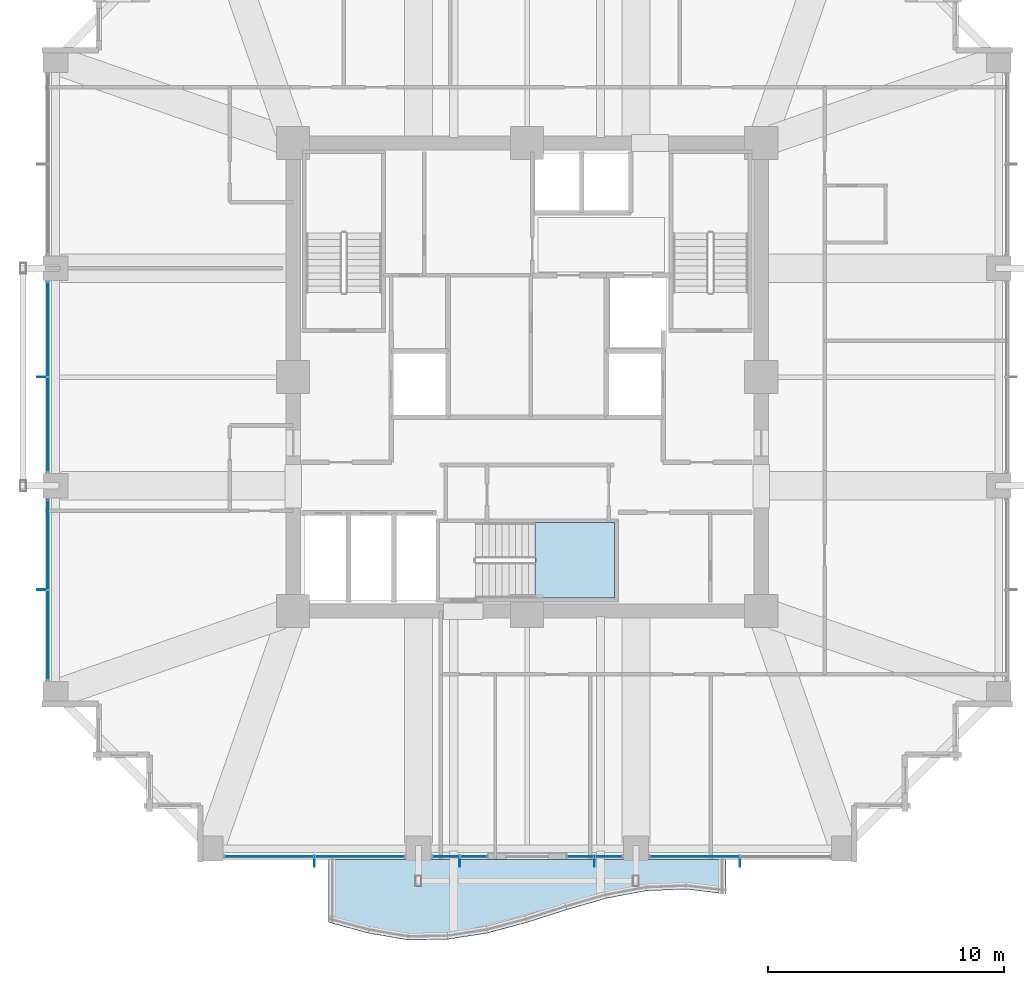
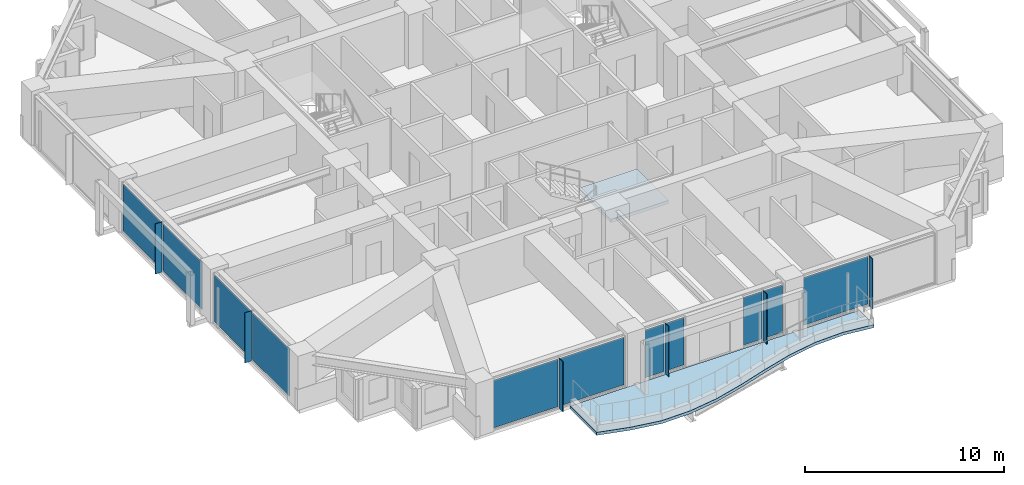
# One storey, part 28 of 39: 17 plates, 2 slabs, 7 elements without a shape of their own.
"""IFC4 building model written with IfcOpenShell, lengths in metres."""

from ifc_helpers import new_model, si_unit, direction, frame, origin, origin_2d, place, context, subcontext, project, spatial, polyline, rectangle, outline, extrude, material, layer, layer_set, type_object, element, aggregate, save


model = new_model("IFC4")

# Units and contexts
model_context = context("Model", 3, precision=1e-05, world=origin(), true_north=direction((0.0, 1.0)))
body_context = subcontext(model_context, "Body", "Model", "MODEL_VIEW")
ifc_project = project(units=[si_unit("LENGTHUNIT", "METRE"), si_unit("AREAUNIT", "SQUARE_METRE"), si_unit("VOLUMEUNIT", "CUBIC_METRE"), si_unit("PLANEANGLEUNIT", "RADIAN"), si_unit("MASSUNIT", "GRAM", prefix="KILO")], contexts=[model_context])

# Site, building, storey
site_placement = place(None, origin())
site = spatial("IfcSite", under=ifc_project, at=site_placement, CompositionType="ELEMENT")
building_placement = place(site_placement, origin())
building = spatial("IfcBuilding", under=site, at=building_placement, Name="Kolvaren Belvedere", CompositionType="ELEMENT")
storey_placement = place(building_placement, frame((0.0, 0.0, 85.39990234375)))
storey = spatial("IfcBuildingStorey", under=building, at=storey_placement, Name="L24", CompositionType="ELEMENT", Elevation=85.39990234375)

# Curtain wall, plate
ifc_material_1 = material(Name="Anodised pale-metal aluminium AA 6063-T6", Category="aluminium")
curtain_wall_type = type_object("IfcCurtainWallType", Name="CW-Z2-MID", PredefinedType="NOTDEFINED", material=ifc_material_1)
curtain_wall_1_placement = place(storey_placement, origin())
curtain_wall_1 = element("IfcCurtainWall", 1, at=curtain_wall_1_placement, inside=storey, type_object=curtain_wall_type, Name="L24 Unitised Curtain Wall FCW-L24-S1-B1", PredefinedType="NOTDEFINED")
ifc_material_2 = material(Name="Low-iron triple insulated glass", Category="glass")
ifc_layer_1 = layer(ifc_material_2, 0.028076171875)
ifc_layer_set_1 = layer_set([ifc_layer_1], Name="Low-iron triple insulated glass")
plate_type_1 = type_object("IfcPlateType", Name="CW-PNL-VIS28", PredefinedType="CURTAIN_PANEL", material=ifc_layer_set_1)
plate_1_placement = place(storey_placement, frame((7.0888671875, -20.280029296875, 0.080078125), z_axis=(0.0, 0.0, 1.0), x_axis=(-1.0, 0.0, 0.0)))
plate_1 = element("IfcPlate", 2, at=plate_1_placement, type_object=plate_type_1, Name="FCW-L24-S1-B1 Vision Glazing Panel 2", PredefinedType="CURTAIN_PANEL", context=body_context, shape_type="SweptSolid", body=[
    extrude(rectangle(XDim=3.742431640625, YDim=0.028076171875, at=origin_2d()), origin(), (0.0, 0.0, 1.0), 2.919921875),
])
aggregate(curtain_wall_1, [plate_1])

# Curtain wall, plates
curtain_wall_2_placement = place(storey_placement, origin())
curtain_wall_2 = element("IfcCurtainWall", 3, at=curtain_wall_2_placement, inside=storey, type_object=curtain_wall_type, Name="L24 Unitised Curtain Wall FCW-L24-S1-B2", PredefinedType="NOTDEFINED")
plate_2_placement = place(storey_placement, frame((3.43701171875, -20.280029296875, 0.080078125), z_axis=(0.0, 0.0, 1.0), x_axis=(-1.0, 0.0, 0.0)))
plate_2 = element("IfcPlate", 4, at=plate_2_placement, type_object=plate_type_1, Name="FCW-L24-S1-B2 Vision Glazing Panel 1", PredefinedType="CURTAIN_PANEL", context=body_context, shape_type="SweptSolid", body=[
    extrude(rectangle(XDim=1.09130859375, YDim=0.028076171875, at=origin_2d()), origin(), (0.0, 0.0, 1.0), 2.919921875),
])
plate_3_placement = place(storey_placement, frame((2.265625, -20.280029296875, 0.080078125), z_axis=(0.0, 0.0, 1.0), x_axis=(-1.0, 0.0, 0.0)))
plate_3 = element("IfcPlate", 5, at=plate_3_placement, type_object=plate_type_1, Name="FCW-L24-S1-B2 Vision Glazing Panel 2", PredefinedType="CURTAIN_PANEL", context=body_context, shape_type="SweptSolid", body=[
    extrude(rectangle(XDim=1.09130859375, YDim=0.028076171875, at=origin_2d()), origin(), (0.0, 0.0, 1.0), 2.919921875),
])
aggregate(curtain_wall_2, [plate_2, plate_3])

curtain_wall_3_placement = place(storey_placement, origin())
curtain_wall_3 = element("IfcCurtainWall", 6, at=curtain_wall_3_placement, inside=storey, type_object=curtain_wall_type, Name="L24 Unitised Curtain Wall FCW-L24-S2-B1", PredefinedType="NOTDEFINED")
plate_4_placement = place(storey_placement, frame((-2.265625, -20.280029296875, 0.080078125), z_axis=(0.0, 0.0, 1.0), x_axis=(-1.0, 0.0, 0.0)))
plate_4 = element("IfcPlate", 7, at=plate_4_placement, type_object=plate_type_1, Name="FCW-L24-S2-B1 Vision Glazing Panel 1", PredefinedType="CURTAIN_PANEL", context=body_context, shape_type="SweptSolid", body=[
    extrude(rectangle(XDim=1.09130859375, YDim=0.028076171875, at=origin_2d()), origin(), (0.0, 0.0, 1.0), 2.919921875),
])
plate_5_placement = place(storey_placement, frame((-3.43701171875, -20.280029296875, 0.080078125), z_axis=(0.0, 0.0, 1.0), x_axis=(-1.0, 0.0, 0.0)))
plate_5 = element("IfcPlate", 8, at=plate_5_placement, type_object=plate_type_1, Name="FCW-L24-S2-B1 Vision Glazing Panel 2", PredefinedType="CURTAIN_PANEL", context=body_context, shape_type="SweptSolid", body=[
    extrude(rectangle(XDim=1.09130859375, YDim=0.028076171875, at=origin_2d()), origin(), (0.0, 0.0, 1.0), 2.919921875),
])
aggregate(curtain_wall_3, [plate_4, plate_5])

curtain_wall_4_placement = place(storey_placement, origin())
curtain_wall_4 = element("IfcCurtainWall", 9, at=curtain_wall_4_placement, inside=storey, type_object=curtain_wall_type, Name="L24 Unitised Curtain Wall FCW-L24-S2-B2", PredefinedType="NOTDEFINED")
plate_6_placement = place(storey_placement, frame((-7.0888671875, -20.280029296875, 0.080078125), z_axis=(0.0, 0.0, 1.0), x_axis=(-1.0, 0.0, 0.0)))
plate_6 = element("IfcPlate", 10, at=plate_6_placement, type_object=plate_type_1, Name="FCW-L24-S2-B2 Vision Glazing Panel 1", PredefinedType="CURTAIN_PANEL", context=body_context, shape_type="SweptSolid", body=[
    extrude(rectangle(XDim=3.742431640625, YDim=0.028076171875, at=origin_2d()), origin(), (0.0, 0.0, 1.0), 2.919921875),
])
plate_7_placement = place(storey_placement, frame((-10.9111328125, -20.280029296875, 0.080078125), z_axis=(0.0, 0.0, 1.0), x_axis=(-1.0, 0.0, 0.0)))
plate_7 = element("IfcPlate", 11, at=plate_7_placement, type_object=plate_type_1, Name="FCW-L24-S2-B2 Vision Glazing Panel 2", PredefinedType="CURTAIN_PANEL", context=body_context, shape_type="SweptSolid", body=[
    extrude(rectangle(XDim=3.742431640625, YDim=0.028076171875, at=origin_2d()), origin(), (0.0, 0.0, 1.0), 2.919921875),
])
aggregate(curtain_wall_4, [plate_6, plate_7])

curtain_wall_5_placement = place(storey_placement, origin())
curtain_wall_5 = element("IfcCurtainWall", 12, at=curtain_wall_5_placement, inside=storey, type_object=curtain_wall_type, Name="L24 Unitised Curtain Wall FCW-L24-W-B1", PredefinedType="NOTDEFINED")
plate_8_placement = place(storey_placement, frame((-20.280029296875, -10.9111328125, 0.080078125), z_axis=(0.0, 0.0, 1.0), x_axis=(0.0, 1.0, 0.0)))
plate_8 = element("IfcPlate", 13, at=plate_8_placement, type_object=plate_type_1, Name="FCW-L24-W-B1 Vision Glazing Panel 1", PredefinedType="CURTAIN_PANEL", context=body_context, shape_type="SweptSolid", body=[
    extrude(rectangle(XDim=3.742431640625, YDim=0.028076171875, at=origin_2d()), origin(), (0.0, 0.0, 1.0), 2.919921875),
])
plate_9_placement = place(storey_placement, frame((-20.280029296875, -7.0888671875, 0.080078125), z_axis=(0.0, 0.0, 1.0), x_axis=(0.0, 1.0, 0.0)))
plate_9 = element("IfcPlate", 14, at=plate_9_placement, type_object=plate_type_1, Name="FCW-L24-W-B1 Vision Glazing Panel 2", PredefinedType="CURTAIN_PANEL", context=body_context, shape_type="SweptSolid", body=[
    extrude(rectangle(XDim=3.742431640625, YDim=0.028076171875, at=origin_2d()), origin(), (0.0, 0.0, 1.0), 2.919921875),
])
aggregate(curtain_wall_5, [plate_8, plate_9])

curtain_wall_6_placement = place(storey_placement, origin())
curtain_wall_6 = element("IfcCurtainWall", 15, at=curtain_wall_6_placement, inside=storey, type_object=curtain_wall_type, Name="L24 Unitised Curtain Wall FCW-L24-W-B2", PredefinedType="NOTDEFINED")
plate_10_placement = place(storey_placement, frame((-20.280029296875, -2.01123046875, 0.080078125), z_axis=(0.0, 0.0, 1.0), x_axis=(0.0, 1.0, 0.0)))
plate_10 = element("IfcPlate", 16, at=plate_10_placement, type_object=plate_type_1, Name="FCW-L24-W-B2 Vision Glazing Panel 1", PredefinedType="CURTAIN_PANEL", context=body_context, shape_type="SweptSolid", body=[
    extrude(rectangle(XDim=3.9423828125, YDim=0.028076171875, at=origin_2d()), origin(), (0.0, 0.0, 1.0), 2.919921875),
])
plate_11_placement = place(storey_placement, frame((-20.280029296875, 2.01123046875, 0.080078125), z_axis=(0.0, 0.0, 1.0), x_axis=(0.0, 1.0, 0.0)))
plate_11 = element("IfcPlate", 17, at=plate_11_placement, type_object=plate_type_1, Name="FCW-L24-W-B2 Vision Glazing Panel 2", PredefinedType="CURTAIN_PANEL", context=body_context, shape_type="SweptSolid", body=[
    extrude(rectangle(XDim=3.9423828125, YDim=0.028076171875, at=origin_2d()), origin(), (0.0, 0.0, 1.0), 2.919921875),
])
aggregate(curtain_wall_6, [plate_10, plate_11])

# Plates
ifc_material_3 = material(Name="Anodised pale-metal aluminium AA 6063-T6", Category="aluminium")
ifc_layer_2 = layer(ifc_material_3, 0.033935546875)
ifc_layer_set_2 = layer_set([ifc_layer_2], Name="Anodised pale-metal aluminium AA 6063-T6")
plate_type_2 = type_object("IfcPlateType", Name="FIN-VERT-380", PredefinedType="USERDEFINED", material=ifc_layer_set_2)
for number, where, z_axis, x_axis, name in (
    (18, (9.0, -20.52490234375, 0.0), (0.0, 0.0, 1.0), (0.0, 1.0, 0.0), "L24 Pale-Metal Vertical Shading Fin FCW-L24-S1-B1-1"),
    (19, (2.851318359375, -20.52490234375, 0.0), (0.0, 0.0, 1.0), (0.0, 1.0, 0.0), "L24 Pale-Metal Vertical Shading Fin FCW-L24-S1-B2-1"),
    (20, (-2.851318359375, -20.52490234375, 0.0), (0.0, 0.0, 1.0), (0.0, 1.0, 0.0), "L24 Pale-Metal Vertical Shading Fin FCW-L24-S2-B1-1"),
    (21, (-9.0, -20.52490234375, 0.0), (0.0, 0.0, 1.0), (0.0, 1.0, 0.0), "L24 Pale-Metal Vertical Shading Fin FCW-L24-S2-B2-1"),
    (22, (-20.52490234375, -9.0, 0.0), (0.0, 0.0, 1.0), (1.0, 0.0, 0.0), "L24 Pale-Metal Vertical Shading Fin FCW-L24-W-B1-1"),
    (23, (-20.52490234375, 0.0, 0.0), (0.0, 0.0, 1.0), (1.0, 0.0, 0.0), "L24 Pale-Metal Vertical Shading Fin FCW-L24-W-B2-1"),
):
    element("IfcPlate", number, at=place(storey_placement, frame(where, z_axis=z_axis, x_axis=x_axis)), inside=storey, type_object=plate_type_2, Name=name, ObjectType="VERTICAL FIN", PredefinedType="USERDEFINED", context=body_context, shape_type="SweptSolid", body=[
        extrude(rectangle(XDim=0.3798828125, YDim=0.033935546875, at=origin_2d()), origin(), (0.0, 0.0, 1.0), 3.080078125),
    ])

# Slab
ifc_material_4 = material(Name="Concrete C50/60", Category="concrete")
ifc_layer_3 = layer(ifc_material_4, 0.179931640625)
ifc_layer_set_3 = layer_set([ifc_layer_3], Name="Concrete C50/60")
slab_type_1 = type_object("IfcSlabType", Name="SL-BAL-180", PredefinedType="FLOOR", material=ifc_layer_set_3)
slab_1_placement = place(storey_placement, frame((0.0, 0.0, -0.219970703125)))
element("IfcSlab", 24, at=slab_1_placement, inside=storey, type_object=slab_type_1, Name="L24 Planted Balcony BAL-S", PredefinedType="FLOOR", context=body_context, shape_type="SweptSolid", body=[
    extrude(outline(polyline([(-8.39990234375, -23.07373046875), (-6.719970703125, -23.52734375), (-5.0400390625, -23.820068359375), (-3.360107421875, -23.7861328125), (-1.679931640625, -23.52734375), (0.0, -23.07373046875), (1.679931640625, -22.53759765625), (3.360107421875, -22.051513671875), (5.0400390625, -21.73583984375), (6.719970703125, -21.66845703125), (8.39990234375, -21.8662109375), (8.39990234375, -20.39990234375), (6.719970703125, -20.39990234375), (5.0400390625, -20.39990234375), (3.360107421875, -20.39990234375), (1.679931640625, -20.39990234375), (0.0, -20.39990234375), (-1.679931640625, -20.39990234375), (-3.360107421875, -20.39990234375), (-5.0400390625, -20.39990234375), (-6.719970703125, -20.39990234375), (-8.39990234375, -20.39990234375), (-8.39990234375, -23.07373046875)])), origin(), (0.0, 0.0, 1.0), 0.18017578125),
])

# Stair, slab
ifc_material_5 = material(Name="Concrete C50/60", Category="concrete")
stair_type = type_object("IfcStairType", Name="ST-CORE-1520", PredefinedType="HALF_TURN_STAIR", material=ifc_material_5)
stair_placement = place(storey_placement, origin())
stair = element("IfcStair", 25, at=stair_placement, inside=storey, type_object=stair_type, Name="L24 Protected Exit Stair ST-3", PredefinedType="HALF_TURN_STAIR")
ifc_material_6 = material(Name="Concrete C50/60", Category="concrete")
ifc_layer_4 = layer(ifc_material_6, 0.260009765625)
ifc_layer_set_4 = layer_set([ifc_layer_4], Name="Concrete C50/60")
slab_type_2 = type_object("IfcSlabType", Name="SL-LAND-260", PredefinedType="LANDING", material=ifc_layer_set_4)
slab_2_placement = place(storey_placement, frame((0.0, 0.0, 1.4501953125)))
slab_2 = element("IfcSlab", 26, at=slab_2_placement, type_object=slab_type_2, Name="ST-3 landing 1", PredefinedType="LANDING", context=body_context, shape_type="SweptSolid", body=[
    extrude(outline(polyline([(0.340087890625, -9.35009765625), (3.699951171875, -9.35009765625), (3.699951171875, -6.159912109375), (0.340087890625, -6.159912109375), (0.340087890625, -9.35009765625)])), origin(), (0.0, 0.0, 1.0), 0.199951171875),
])
aggregate(stair, [slab_2])

save(model, "model.ifc")
